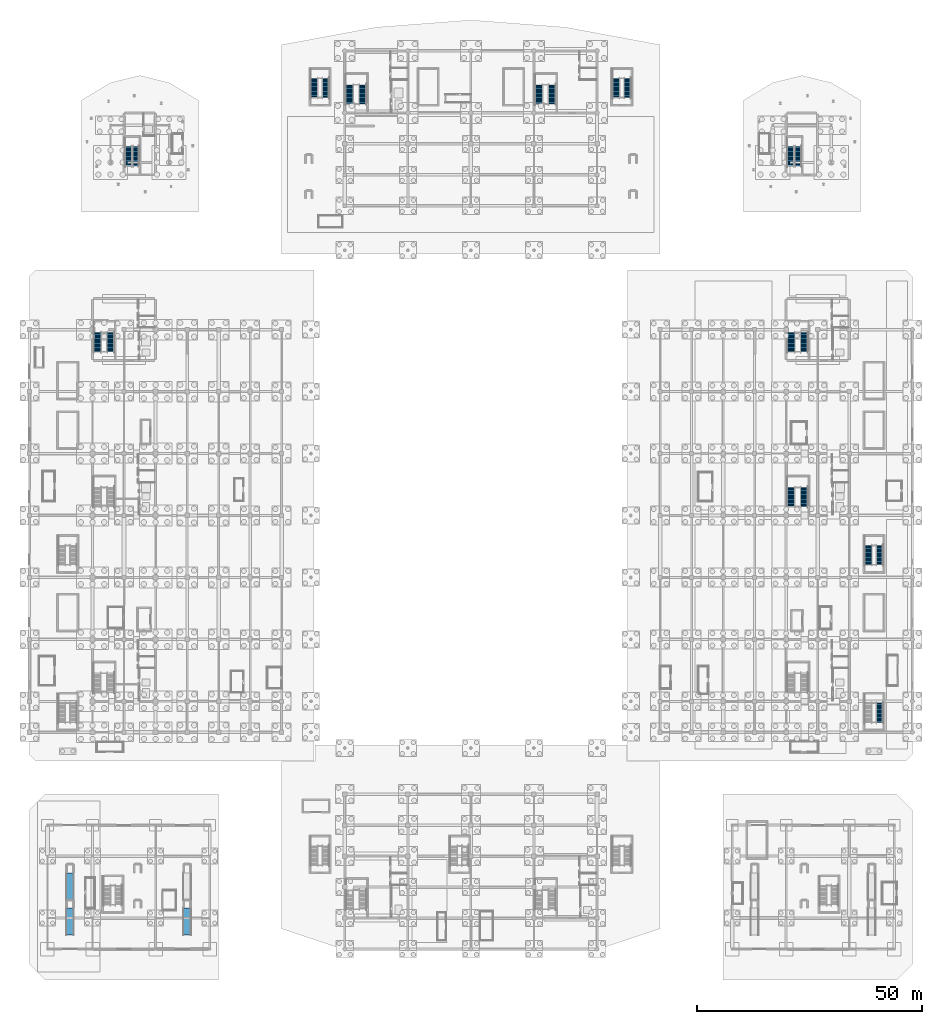
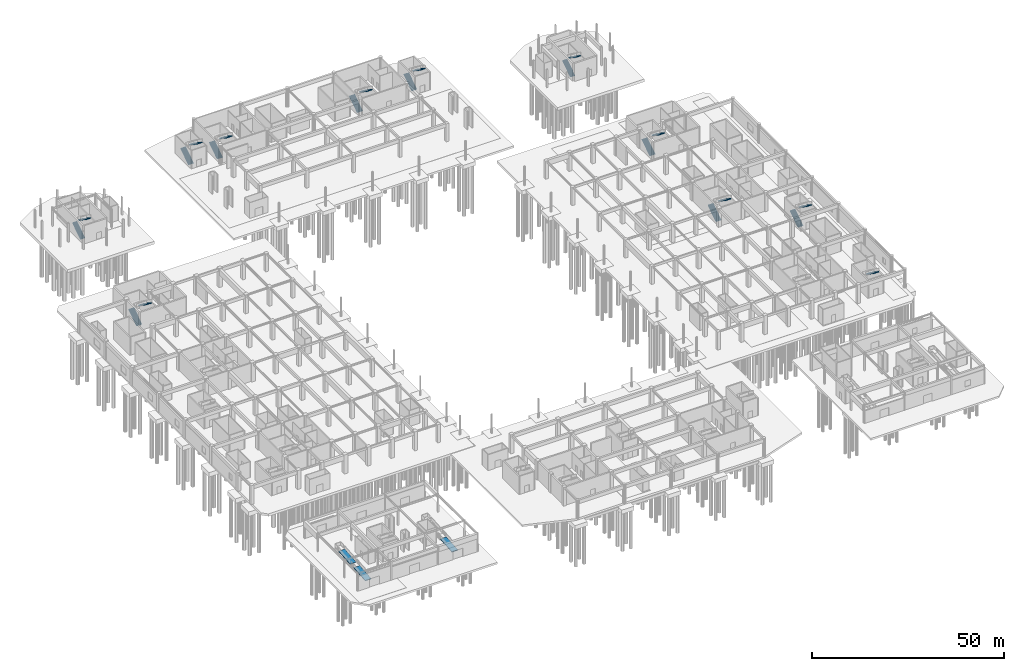
# One storey, part 53 of 62: 21 stair flights, 3 ramp flights, 13 elements without a shape of their own.
"""IFC4 building model written with IfcOpenShell, lengths in metres."""

import ifcopenshell
import ifcopenshell.guid

model = None  # the IFC model being written
_history = None  # IfcOwnerHistory: only IFC2X3 demands one
_inside = {}  # id of a spatial element -> (the spatial element, [elements in it])
_under = {}  # id of a project, library or spatial element -> (it, [spatial elements below it])
_declared = {}  # id of a project -> (the project, [libraries it declares])
_typed = {}  # id of a type object -> (the type object, [elements of that type])
_made_of = {}  # id of a material, layer set ... -> (it, [elements and type objects made of it])


def new_model(schema):
    """Start an empty IFC model of exactly this schema.

    Asked for "IFC4X3", IfcOpenShell would pick the latest addendum, in which some entities
    have other attributes; the version numbers below select the first issue.
    IFC2X3 requires an IfcOwnerHistory on every rooted entity: one is made here for all.
    """
    global model, _history
    if schema == "IFC4X3":
        model = ifcopenshell.file(schema_version=(4, 3, 0, 0))
    else:
        model = ifcopenshell.file(schema=schema)
    _inside.clear()
    _under.clear()
    _declared.clear()
    _typed.clear()
    _made_of.clear()
    _history = None
    if model.schema == "IFC2X3":
        org = make("IfcOrganization", Name="unknown")
        user = make(
            "IfcPersonAndOrganization",
            ThePerson=make("IfcPerson", FamilyName="unknown"),
            TheOrganization=org,
        )
        app = make(
            "IfcApplication",
            ApplicationDeveloper=org,
            Version="unknown",
            ApplicationFullName="unknown",
            ApplicationIdentifier="unknown",
        )
        _history = make(
            "IfcOwnerHistory",
            OwningUser=user,
            OwningApplication=app,
            ChangeAction="ADDED",
            CreationDate=0,
        )
    return model


def make(cls, **values):
    """One entity of the class cls with the attributes given. An attribute that is None is left unset."""
    return model.create_entity(
        cls, **{name: value for name, value in values.items() if value is not None}
    )


def rooted(cls, **values):
    """An entity with a GlobalId (a new one), such as an element, a storey or a relation."""
    return make(cls, GlobalId=ifcopenshell.guid.new(), OwnerHistory=_history, **values)


def si_unit(unit_type, name, prefix=None):
    """IfcSIUnit, for example si_unit("LENGTHUNIT", "METRE", prefix="MILLI")."""
    return make("IfcSIUnit", UnitType=unit_type, Prefix=prefix, Name=name)


def assignment(units):
    """IfcUnitAssignment: the units of a project."""
    return None if units is None else make("IfcUnitAssignment", Units=units)


def point(xyz):
    """IfcCartesianPoint."""
    return None if xyz is None else make("IfcCartesianPoint", Coordinates=xyz)


def direction(xyz):
    """IfcDirection."""
    return None if xyz is None else make("IfcDirection", DirectionRatios=xyz)


def frame(location, z_axis=None, x_axis=None):
    """IfcAxis2Placement3D, a coordinate frame: its origin and axes. An axis left out is left unset."""
    return make(
        "IfcAxis2Placement3D",
        Location=point(location),
        Axis=direction(z_axis),
        RefDirection=direction(x_axis),
    )


def origin():
    """The frame at (0, 0, 0) with its axes left unset."""
    return frame((0.0, 0.0, 0.0))


def place(relative_to, where):
    """IfcLocalPlacement: puts the frame where relative to a parent placement (None: the world)."""
    return make(
        "IfcLocalPlacement", PlacementRelTo=relative_to, RelativePlacement=where
    )


def context(
    kind, dimensions, precision=None, world=None, true_north=None, identifier=None
):
    """IfcGeometricRepresentationContext, for example the 3D "Model" context."""
    return make(
        "IfcGeometricRepresentationContext",
        ContextIdentifier=identifier,
        ContextType=kind,
        CoordinateSpaceDimension=dimensions,
        Precision=precision,
        WorldCoordinateSystem=world,
        TrueNorth=true_north,
    )


def subcontext(parent, identifier, kind, view, scale=None):
    """IfcGeometricRepresentationSubContext, for example "Body" below "Model"."""
    return make(
        "IfcGeometricRepresentationSubContext",
        ContextIdentifier=identifier,
        ContextType=kind,
        ParentContext=parent,
        TargetScale=scale,
        TargetView=view,
    )


def project(units=None, contexts=None):
    """IfcProject with its units and contexts."""
    return rooted(
        "IfcProject",
        Name="project",
        RepresentationContexts=contexts,
        UnitsInContext=assignment(units),
    )


def spatial(cls, under=None, at=None, **own):
    """A site, building, storey or space (cls), placed at a placement, below another one or the project."""
    s = rooted(cls, ObjectPlacement=at, **own)
    if under is not None:
        _under.setdefault(under.id(), (under, []))[1].append(s)
    return s


def polyline(points):
    """IfcPolyline through the points."""
    return make("IfcPolyline", Points=[point(p) for p in points])


def outline(outer, holes=None, kind="AREA"):
    """IfcArbitraryClosedProfileDef: a profile drawn as a closed curve; with holes, ...WithVoids."""
    if holes is None:
        return make("IfcArbitraryClosedProfileDef", ProfileType=kind, OuterCurve=outer)
    return make(
        "IfcArbitraryProfileDefWithVoids",
        ProfileType=kind,
        OuterCurve=outer,
        InnerCurves=holes,
    )


def extrude(swept, where, along, depth):
    """IfcExtrudedAreaSolid: the profile swept, set in the frame where, extruded along a direction by depth."""
    return make(
        "IfcExtrudedAreaSolid",
        SweptArea=swept,
        Position=where,
        ExtrudedDirection=direction(along),
        Depth=depth,
    )


def shape(context_of_items, identifier, shape_type, items):
    """IfcShapeRepresentation: the items that make up one representation, for example the "Body"."""
    return make(
        "IfcShapeRepresentation",
        ContextOfItems=context_of_items,
        RepresentationIdentifier=identifier,
        RepresentationType=shape_type,
        Items=items,
    )


def material(Name=None, Category=None):
    """IfcMaterial."""
    return make("IfcMaterial", Name=Name, Category=Category)


def layer(
    of_material, thickness, ventilated=None, Name=None, Category=None, Priority=None
):
    """IfcMaterialLayer: one layer of a wall or slab, of a material (None: an air gap)."""
    return make(
        "IfcMaterialLayer",
        Material=of_material,
        LayerThickness=thickness,
        IsVentilated=ventilated,
        Name=Name,
        Category=Category,
        Priority=Priority,
    )


def layer_set(layers, Name=None):
    """IfcMaterialLayerSet."""
    return make("IfcMaterialLayerSet", MaterialLayers=layers, LayerSetName=Name)


def made_of(thing, what):
    """Note that an element or type object is made of a material, layer set ...; save() writes the relation."""
    if what is not None:
        _made_of.setdefault(what.id(), (what, []))[1].append(thing)
    return thing


def type_object(cls, material=None, **own):
    """A type object (cls), such as IfcWallType, which elements share."""
    return made_of(rooted(cls, **own), material)


def element(
    cls,
    number,
    at=None,
    inside=None,
    cuts=None,
    type_object=None,
    material=None,
    context=None,
    identifier="Body",
    shape_type=None,
    held_by="IfcProductDefinitionShape",
    body=None,
    shapes=None,
    **own,
):
    """One element of the class cls, such as IfcWall. Its Tag is "e" and its number.

    at: its placement. inside: the storey or other place that contains it. cuts: it is an
    opening in that element (IfcRelVoidsElement). A single representation is given by context,
    identifier, shape_type and body (its items); several are given by shapes. held_by: the class
    of the entity that holds the representations. save() writes the other relations.
    """
    e = rooted(cls, Tag="e%d" % number, ObjectPlacement=at, **own)
    if body is not None:
        shapes = [shape(context, identifier, shape_type, body)]
    if shapes is not None:
        e.Representation = make(held_by, Representations=shapes)
    if inside is not None:
        _inside.setdefault(inside.id(), (inside, []))[1].append(e)
    if cuts is not None:
        rooted(
            "IfcRelVoidsElement", RelatingBuildingElement=cuts, RelatedOpeningElement=e
        )
    if type_object is not None:
        _typed.setdefault(type_object.id(), (type_object, []))[1].append(e)
    return made_of(e, material)


def aggregate(whole, parts):
    """IfcRelAggregates: a whole, such as a stair, and the parts it consists of."""
    return rooted("IfcRelAggregates", RelatingObject=whole, RelatedObjects=parts)


def save(model, path):
    """Write the relations noted so far, then the file.

    IfcRelAggregates (storeys below a building ...), IfcRelContainedInSpatialStructure (elements
    in a storey), IfcRelDefinesByType, IfcRelAssociatesMaterial and IfcRelDeclares: one each for
    every whole, place, type object, material and project.
    """
    for whole, parts in _under.values():
        aggregate(whole, parts)
    for where, things in _inside.values():
        rooted(
            "IfcRelContainedInSpatialStructure",
            RelatedElements=things,
            RelatingStructure=where,
        )
    for kind, things in _typed.values():
        rooted("IfcRelDefinesByType", RelatedObjects=things, RelatingType=kind)
    for what, things in _made_of.values():
        rooted("IfcRelAssociatesMaterial", RelatedObjects=things, RelatingMaterial=what)
    for by, libraries in _declared.values():
        rooted("IfcRelDeclares", RelatingContext=by, RelatedDefinitions=libraries)
    model.write(path)


model = new_model("IFC4")

# Units and contexts
model_context = context("Model", 3, precision=1e-05, world=origin(), true_north=direction((0.0, 1.0)))
body_context = subcontext(model_context, "Body", "Model", "MODEL_VIEW")
ifc_project = project(units=[si_unit("LENGTHUNIT", "METRE"), si_unit("AREAUNIT", "SQUARE_METRE"), si_unit("VOLUMEUNIT", "CUBIC_METRE"), si_unit("PLANEANGLEUNIT", "RADIAN"), si_unit("MASSUNIT", "GRAM", prefix="KILO")], contexts=[model_context])

# Site, building, storey
site_placement = place(None, origin())
site = spatial("IfcSite", under=ifc_project, at=site_placement, CompositionType="ELEMENT")
building_placement = place(site_placement, origin())
building = spatial("IfcBuilding", under=site, at=building_placement, Name="Linyun Crest Stadium", CompositionType="ELEMENT")
storey_placement = place(building_placement, frame((0.0, 0.0, -6.0)))
storey = spatial("IfcBuildingStorey", under=building, at=storey_placement, Name="B1", CompositionType="ELEMENT", Elevation=-6.0)

# Stair, stair flights
ifc_material_1 = material(Name="Concrete C40", Category="concrete")
stair_type = type_object("IfcStairType", Name="STA01", PredefinedType="HALF_TURN_STAIR", material=ifc_material_1)
stair_1_placement = place(storey_placement, origin())
stair_1 = element("IfcStair", 1, at=stair_1_placement, inside=storey, type_object=stair_type, Name="Evacuation stair STR-03-B1", PredefinedType="HALF_TURN_STAIR")
ifc_material_2 = material(Name="Concrete C40", Category="concrete")
stair_flight_type_1 = type_object("IfcStairFlightType", Name="STF01", PredefinedType="STRAIGHT", material=ifc_material_2)
stair_flight_1_placement = place(storey_placement, frame((-82.909912109375, 38.489990234375, 0.0), z_axis=(0.0, 0.0, 1.0), x_axis=(0.0, 1.0, 0.0)))
stair_flight_1 = element("IfcStairFlight", 2, at=stair_flight_1_placement, type_object=stair_flight_type_1, Name="STR-03-B1 flight 1", NumberOfRisers=18, NumberOfTreads=17, PredefinedType="STRAIGHT", RiserHeight=0.166666667, TreadLength=0.25, context=body_context, shape_type="SweptSolid", body=[
    extrude(outline(polyline([(0.0, 0.0), (0.0, 0.166748046875), (0.25, 0.166748046875), (0.25, 0.333251953125), (0.5, 0.333251953125), (0.5, 0.5), (0.75, 0.5), (0.75, 0.666748046875), (1.0, 0.666748046875), (1.0, 0.833251953125), (1.25, 0.833251953125), (1.25, 1.0), (1.5, 1.0), (1.5, 1.166748046875), (1.75, 1.166748046875), (1.75, 1.333251953125), (2.0, 1.333251953125), (2.0, 1.5), (2.25, 1.5), (2.25, 1.666748046875), (2.5, 1.666748046875), (2.5, 1.833251953125), (2.75, 1.833251953125), (2.75, 2.0), (3.0, 2.0), (3.0, 2.166748046875), (3.25, 2.166748046875), (3.25, 2.333251953125), (3.5, 2.333251953125), (3.5, 2.5), (3.75, 2.5), (3.75, 2.666748046875), (4.0, 2.666748046875), (4.0, 2.833251953125), (4.25, 2.833251953125), (4.25, 3.0), (4.25, 2.6171875), (0.324462890625, 0.0), (0.0, 0.0)])), frame((0.0, 0.824951171875, 0.0), z_axis=(0.0, -1.0, 0.0), x_axis=(1.0, 0.0, 0.0)), (0.0, 0.0, 1.0), 1.64990234375),
])
stair_flight_2_placement = place(storey_placement, frame((-79.965087890625, 42.739990234375, 3.0), z_axis=(0.0, 0.0, 1.0), x_axis=(0.0, -1.0, 0.0)))
stair_flight_2 = element("IfcStairFlight", 3, at=stair_flight_2_placement, type_object=stair_flight_type_1, Name="STR-03-B1 flight 2", NumberOfRisers=18, NumberOfTreads=17, PredefinedType="STRAIGHT", RiserHeight=0.166666667, TreadLength=0.25, context=body_context, shape_type="SweptSolid", body=[
    extrude(outline(polyline([(0.0, 0.0), (0.0, 0.166748046875), (0.25, 0.166748046875), (0.25, 0.333251953125), (0.5, 0.333251953125), (0.5, 0.5), (0.75, 0.5), (0.75, 0.666748046875), (1.0, 0.666748046875), (1.0, 0.833251953125), (1.25, 0.833251953125), (1.25, 1.0), (1.5, 1.0), (1.5, 1.166748046875), (1.75, 1.166748046875), (1.75, 1.333251953125), (2.0, 1.333251953125), (2.0, 1.5), (2.25, 1.5), (2.25, 1.666748046875), (2.5, 1.666748046875), (2.5, 1.833251953125), (2.75, 1.833251953125), (2.75, 2.0), (3.0, 2.0), (3.0, 2.166748046875), (3.25, 2.166748046875), (3.25, 2.333251953125), (3.5, 2.333251953125), (3.5, 2.5), (3.75, 2.5), (3.75, 2.666748046875), (4.0, 2.666748046875), (4.0, 2.833251953125), (4.25, 2.833251953125), (4.25, 3.0), (4.25, 2.6171875), (0.324462890625, 0.0), (0.0, 0.0)])), frame((0.0, 0.824951171875, 0.0), z_axis=(0.0, -1.0, 0.0), x_axis=(1.0, 0.0, 0.0)), (0.0, 0.0, 1.0), 1.64990234375),
])
aggregate(stair_1, [stair_flight_1, stair_flight_2])

stair_2_placement = place(storey_placement, origin())
stair_2 = element("IfcStair", 4, at=stair_2_placement, inside=storey, type_object=stair_type, Name="Evacuation stair STR-05-B1", PredefinedType="HALF_TURN_STAIR")
stair_flight_3_placement = place(storey_placement, frame((71.06494140625, 4.114990234375, 0.0), z_axis=(0.0, 0.0, 1.0), x_axis=(0.0, 1.0, 0.0)))
stair_flight_3 = element("IfcStairFlight", 5, at=stair_flight_3_placement, type_object=stair_flight_type_1, Name="STR-05-B1 flight 1", NumberOfRisers=18, NumberOfTreads=17, PredefinedType="STRAIGHT", RiserHeight=0.166666667, TreadLength=0.25, context=body_context, shape_type="SweptSolid", body=[
    extrude(outline(polyline([(0.0, 0.0), (0.0, 0.166748046875), (0.25, 0.166748046875), (0.25, 0.333251953125), (0.5, 0.333251953125), (0.5, 0.5), (0.75, 0.5), (0.75, 0.666748046875), (1.0, 0.666748046875), (1.0, 0.833251953125), (1.25, 0.833251953125), (1.25, 1.0), (1.5, 1.0), (1.5, 1.166748046875), (1.75, 1.166748046875), (1.75, 1.333251953125), (2.0, 1.333251953125), (2.0, 1.5), (2.25, 1.5), (2.25, 1.666748046875), (2.5, 1.666748046875), (2.5, 1.833251953125), (2.75, 1.833251953125), (2.75, 2.0), (3.0, 2.0), (3.0, 2.166748046875), (3.25, 2.166748046875), (3.25, 2.333251953125), (3.5, 2.333251953125), (3.5, 2.5), (3.75, 2.5), (3.75, 2.666748046875), (4.0, 2.666748046875), (4.0, 2.833251953125), (4.25, 2.833251953125), (4.25, 3.0), (4.25, 2.6171875), (0.324462890625, 0.0), (0.0, 0.0)])), frame((0.0, 0.824951171875, 0.0), z_axis=(0.0, -1.0, 0.0), x_axis=(1.0, 0.0, 0.0)), (0.0, 0.0, 1.0), 1.64990234375),
])
stair_flight_4_placement = place(storey_placement, frame((74.034912109375, 8.364990234375, 3.0), z_axis=(0.0, 0.0, 1.0), x_axis=(0.0, -1.0, 0.0)))
stair_flight_4 = element("IfcStairFlight", 6, at=stair_flight_4_placement, type_object=stair_flight_type_1, Name="STR-05-B1 flight 2", NumberOfRisers=18, NumberOfTreads=17, PredefinedType="STRAIGHT", RiserHeight=0.166666667, TreadLength=0.25, context=body_context, shape_type="SweptSolid", body=[
    extrude(outline(polyline([(0.0, 0.0), (0.0, 0.166748046875), (0.25, 0.166748046875), (0.25, 0.333251953125), (0.5, 0.333251953125), (0.5, 0.5), (0.75, 0.5), (0.75, 0.666748046875), (1.0, 0.666748046875), (1.0, 0.833251953125), (1.25, 0.833251953125), (1.25, 1.0), (1.5, 1.0), (1.5, 1.166748046875), (1.75, 1.166748046875), (1.75, 1.333251953125), (2.0, 1.333251953125), (2.0, 1.5), (2.25, 1.5), (2.25, 1.666748046875), (2.5, 1.666748046875), (2.5, 1.833251953125), (2.75, 1.833251953125), (2.75, 2.0), (3.0, 2.0), (3.0, 2.166748046875), (3.25, 2.166748046875), (3.25, 2.333251953125), (3.5, 2.333251953125), (3.5, 2.5), (3.75, 2.5), (3.75, 2.666748046875), (4.0, 2.666748046875), (4.0, 2.833251953125), (4.25, 2.833251953125), (4.25, 3.0), (4.25, 2.6171875), (0.324462890625, 0.0), (0.0, 0.0)])), frame((0.0, 0.824951171875, 0.0), z_axis=(0.0, -1.0, 0.0), x_axis=(1.0, 0.0, 0.0)), (0.0, 0.0, 1.0), 1.64990234375),
])
aggregate(stair_2, [stair_flight_3, stair_flight_4])

stair_3_placement = place(storey_placement, origin())
stair_3 = element("IfcStair", 7, at=stair_3_placement, inside=storey, type_object=stair_type, Name="Evacuation stair STR-06-B1", PredefinedType="HALF_TURN_STAIR")
stair_flight_5_placement = place(storey_placement, frame((71.090087890625, 38.489990234375, 0.0), z_axis=(0.0, 0.0, 1.0), x_axis=(0.0, 1.0, 0.0)))
stair_flight_5 = element("IfcStairFlight", 8, at=stair_flight_5_placement, type_object=stair_flight_type_1, Name="STR-06-B1 flight 1", NumberOfRisers=18, NumberOfTreads=17, PredefinedType="STRAIGHT", RiserHeight=0.166666667, TreadLength=0.25, context=body_context, shape_type="SweptSolid", body=[
    extrude(outline(polyline([(0.0, 0.0), (0.0, 0.166748046875), (0.25, 0.166748046875), (0.25, 0.333251953125), (0.5, 0.333251953125), (0.5, 0.5), (0.75, 0.5), (0.75, 0.666748046875), (1.0, 0.666748046875), (1.0, 0.833251953125), (1.25, 0.833251953125), (1.25, 1.0), (1.5, 1.0), (1.5, 1.166748046875), (1.75, 1.166748046875), (1.75, 1.333251953125), (2.0, 1.333251953125), (2.0, 1.5), (2.25, 1.5), (2.25, 1.666748046875), (2.5, 1.666748046875), (2.5, 1.833251953125), (2.75, 1.833251953125), (2.75, 2.0), (3.0, 2.0), (3.0, 2.166748046875), (3.25, 2.166748046875), (3.25, 2.333251953125), (3.5, 2.333251953125), (3.5, 2.5), (3.75, 2.5), (3.75, 2.666748046875), (4.0, 2.666748046875), (4.0, 2.833251953125), (4.25, 2.833251953125), (4.25, 3.0), (4.25, 2.6171875), (0.324462890625, 0.0), (0.0, 0.0)])), frame((0.0, 0.824951171875, 0.0), z_axis=(0.0, -1.0, 0.0), x_axis=(1.0, 0.0, 0.0)), (0.0, 0.0, 1.0), 1.64990234375),
])
stair_flight_6_placement = place(storey_placement, frame((74.034912109375, 42.739990234375, 3.0), z_axis=(0.0, 0.0, 1.0), x_axis=(0.0, -1.0, 0.0)))
stair_flight_6 = element("IfcStairFlight", 9, at=stair_flight_6_placement, type_object=stair_flight_type_1, Name="STR-06-B1 flight 2", NumberOfRisers=18, NumberOfTreads=17, PredefinedType="STRAIGHT", RiserHeight=0.166666667, TreadLength=0.25, context=body_context, shape_type="SweptSolid", body=[
    extrude(outline(polyline([(0.0, 0.0), (0.0, 0.166748046875), (0.25, 0.166748046875), (0.25, 0.333251953125), (0.5, 0.333251953125), (0.5, 0.5), (0.75, 0.5), (0.75, 0.666748046875), (1.0, 0.666748046875), (1.0, 0.833251953125), (1.25, 0.833251953125), (1.25, 1.0), (1.5, 1.0), (1.5, 1.166748046875), (1.75, 1.166748046875), (1.75, 1.333251953125), (2.0, 1.333251953125), (2.0, 1.5), (2.25, 1.5), (2.25, 1.666748046875), (2.5, 1.666748046875), (2.5, 1.833251953125), (2.75, 1.833251953125), (2.75, 2.0), (3.0, 2.0), (3.0, 2.166748046875), (3.25, 2.166748046875), (3.25, 2.333251953125), (3.5, 2.333251953125), (3.5, 2.5), (3.75, 2.5), (3.75, 2.666748046875), (4.0, 2.666748046875), (4.0, 2.833251953125), (4.25, 2.833251953125), (4.25, 3.0), (4.25, 2.6171875), (0.324462890625, 0.0), (0.0, 0.0)])), frame((0.0, 0.824951171875, 0.0), z_axis=(0.0, -1.0, 0.0), x_axis=(1.0, 0.0, 0.0)), (0.0, 0.0, 1.0), 1.64990234375),
])
aggregate(stair_3, [stair_flight_5, stair_flight_6])

stair_4_placement = place(storey_placement, origin())
stair_4 = element("IfcStair", 10, at=stair_4_placement, inside=storey, type_object=stair_type, Name="Evacuation stair STR-07-B1", PredefinedType="HALF_TURN_STAIR")
stair_flight_7_placement = place(storey_placement, frame((-26.9599609375, 93.489990234375, 0.0), z_axis=(0.0, 0.0, 1.0), x_axis=(0.0, 1.0, 0.0)))
stair_flight_7 = element("IfcStairFlight", 11, at=stair_flight_7_placement, type_object=stair_flight_type_1, Name="STR-07-B1 flight 1", NumberOfRisers=18, NumberOfTreads=17, PredefinedType="STRAIGHT", RiserHeight=0.166666667, TreadLength=0.25, context=body_context, shape_type="SweptSolid", body=[
    extrude(outline(polyline([(0.0, 0.0), (0.0, 0.166748046875), (0.25, 0.166748046875), (0.25, 0.333251953125), (0.5, 0.333251953125), (0.5, 0.5), (0.75, 0.5), (0.75, 0.666748046875), (1.0, 0.666748046875), (1.0, 0.833251953125), (1.25, 0.833251953125), (1.25, 1.0), (1.5, 1.0), (1.5, 1.166748046875), (1.75, 1.166748046875), (1.75, 1.333251953125), (2.0, 1.333251953125), (2.0, 1.5), (2.25, 1.5), (2.25, 1.666748046875), (2.5, 1.666748046875), (2.5, 1.833251953125), (2.75, 1.833251953125), (2.75, 2.0), (3.0, 2.0), (3.0, 2.166748046875), (3.25, 2.166748046875), (3.25, 2.333251953125), (3.5, 2.333251953125), (3.5, 2.5), (3.75, 2.5), (3.75, 2.666748046875), (4.0, 2.666748046875), (4.0, 2.833251953125), (4.25, 2.833251953125), (4.25, 3.0), (4.25, 2.6171875), (0.324462890625, 0.0), (0.0, 0.0)])), frame((0.0, 0.824951171875, 0.0), z_axis=(0.0, -1.0, 0.0), x_axis=(1.0, 0.0, 0.0)), (0.0, 0.0, 1.0), 1.64990234375),
])
stair_flight_8_placement = place(storey_placement, frame((-23.965087890625, 97.739990234375, 3.0), z_axis=(0.0, 0.0, 1.0), x_axis=(0.0, -1.0, 0.0)))
stair_flight_8 = element("IfcStairFlight", 12, at=stair_flight_8_placement, type_object=stair_flight_type_1, Name="STR-07-B1 flight 2", NumberOfRisers=18, NumberOfTreads=17, PredefinedType="STRAIGHT", RiserHeight=0.166666667, TreadLength=0.25, context=body_context, shape_type="SweptSolid", body=[
    extrude(outline(polyline([(0.0, 0.0), (0.0, 0.166748046875), (0.25, 0.166748046875), (0.25, 0.333251953125), (0.5, 0.333251953125), (0.5, 0.5), (0.75, 0.5), (0.75, 0.666748046875), (1.0, 0.666748046875), (1.0, 0.833251953125), (1.25, 0.833251953125), (1.25, 1.0), (1.5, 1.0), (1.5, 1.166748046875), (1.75, 1.166748046875), (1.75, 1.333251953125), (2.0, 1.333251953125), (2.0, 1.5), (2.25, 1.5), (2.25, 1.666748046875), (2.5, 1.666748046875), (2.5, 1.833251953125), (2.75, 1.833251953125), (2.75, 2.0), (3.0, 2.0), (3.0, 2.166748046875), (3.25, 2.166748046875), (3.25, 2.333251953125), (3.5, 2.333251953125), (3.5, 2.5), (3.75, 2.5), (3.75, 2.666748046875), (4.0, 2.666748046875), (4.0, 2.833251953125), (4.25, 2.833251953125), (4.25, 3.0), (4.25, 2.6171875), (0.324462890625, 0.0), (0.0, 0.0)])), frame((0.0, 0.824951171875, 0.0), z_axis=(0.0, -1.0, 0.0), x_axis=(1.0, 0.0, 0.0)), (0.0, 0.0, 1.0), 1.64990234375),
])
aggregate(stair_4, [stair_flight_7, stair_flight_8])

stair_5_placement = place(storey_placement, origin())
stair_5 = element("IfcStair", 13, at=stair_5_placement, inside=storey, type_object=stair_type, Name="Evacuation stair STR-08-B1", PredefinedType="HALF_TURN_STAIR")
stair_flight_9_placement = place(storey_placement, frame((15.06494140625, 93.489990234375, 0.0), z_axis=(0.0, 0.0, 1.0), x_axis=(0.0, 1.0, 0.0)))
stair_flight_9 = element("IfcStairFlight", 14, at=stair_flight_9_placement, type_object=stair_flight_type_1, Name="STR-08-B1 flight 1", NumberOfRisers=18, NumberOfTreads=17, PredefinedType="STRAIGHT", RiserHeight=0.166666667, TreadLength=0.25, context=body_context, shape_type="SweptSolid", body=[
    extrude(outline(polyline([(0.0, 0.0), (0.0, 0.166748046875), (0.25, 0.166748046875), (0.25, 0.333251953125), (0.5, 0.333251953125), (0.5, 0.5), (0.75, 0.5), (0.75, 0.666748046875), (1.0, 0.666748046875), (1.0, 0.833251953125), (1.25, 0.833251953125), (1.25, 1.0), (1.5, 1.0), (1.5, 1.166748046875), (1.75, 1.166748046875), (1.75, 1.333251953125), (2.0, 1.333251953125), (2.0, 1.5), (2.25, 1.5), (2.25, 1.666748046875), (2.5, 1.666748046875), (2.5, 1.833251953125), (2.75, 1.833251953125), (2.75, 2.0), (3.0, 2.0), (3.0, 2.166748046875), (3.25, 2.166748046875), (3.25, 2.333251953125), (3.5, 2.333251953125), (3.5, 2.5), (3.75, 2.5), (3.75, 2.666748046875), (4.0, 2.666748046875), (4.0, 2.833251953125), (4.25, 2.833251953125), (4.25, 3.0), (4.25, 2.6171875), (0.324462890625, 0.0), (0.0, 0.0)])), frame((0.0, 0.824951171875, 0.0), z_axis=(0.0, -1.0, 0.0), x_axis=(1.0, 0.0, 0.0)), (0.0, 0.0, 1.0), 1.64990234375),
])
stair_flight_10_placement = place(storey_placement, frame((18.034912109375, 97.739990234375, 3.0), z_axis=(0.0, 0.0, 1.0), x_axis=(0.0, -1.0, 0.0)))
stair_flight_10 = element("IfcStairFlight", 15, at=stair_flight_10_placement, type_object=stair_flight_type_1, Name="STR-08-B1 flight 2", NumberOfRisers=18, NumberOfTreads=17, PredefinedType="STRAIGHT", RiserHeight=0.166666667, TreadLength=0.25, context=body_context, shape_type="SweptSolid", body=[
    extrude(outline(polyline([(0.0, 0.0), (0.0, 0.166748046875), (0.25, 0.166748046875), (0.25, 0.333251953125), (0.5, 0.333251953125), (0.5, 0.5), (0.75, 0.5), (0.75, 0.666748046875), (1.0, 0.666748046875), (1.0, 0.833251953125), (1.25, 0.833251953125), (1.25, 1.0), (1.5, 1.0), (1.5, 1.166748046875), (1.75, 1.166748046875), (1.75, 1.333251953125), (2.0, 1.333251953125), (2.0, 1.5), (2.25, 1.5), (2.25, 1.666748046875), (2.5, 1.666748046875), (2.5, 1.833251953125), (2.75, 1.833251953125), (2.75, 2.0), (3.0, 2.0), (3.0, 2.166748046875), (3.25, 2.166748046875), (3.25, 2.333251953125), (3.5, 2.333251953125), (3.5, 2.5), (3.75, 2.5), (3.75, 2.666748046875), (4.0, 2.666748046875), (4.0, 2.833251953125), (4.25, 2.833251953125), (4.25, 3.0), (4.25, 2.6171875), (0.324462890625, 0.0), (0.0, 0.0)])), frame((0.0, 0.824951171875, 0.0), z_axis=(0.0, -1.0, 0.0), x_axis=(1.0, 0.0, 0.0)), (0.0, 0.0, 1.0), 1.64990234375),
])
aggregate(stair_5, [stair_flight_9, stair_flight_10])

# Stair, stair flight
stair_6_placement = place(storey_placement, origin())
stair_6 = element("IfcStair", 16, at=stair_6_placement, inside=storey, type_object=stair_type, Name="Vomitory evacuation stair STR-18-B1", PredefinedType="HALF_TURN_STAIR")
ifc_material_3 = material(Name="Concrete C40", Category="concrete")
stair_flight_type_2 = type_object("IfcStairFlightType", Name="STF02", PredefinedType="STRAIGHT", material=ifc_material_3)
stair_flight_11_placement = place(storey_placement, frame((90.784912109375, -39.530029296875, 3.0), z_axis=(0.0, 0.0, 1.0), x_axis=(0.0, -1.0, 0.0)))
stair_flight_11 = element("IfcStairFlight", 17, at=stair_flight_11_placement, type_object=stair_flight_type_2, Name="STR-18-B1 flight 2", NumberOfRisers=18, NumberOfTreads=17, PredefinedType="STRAIGHT", RiserHeight=0.166666667, TreadLength=0.25, context=body_context, shape_type="SweptSolid", body=[
    extrude(outline(polyline([(0.0, 0.0), (0.0, 0.166748046875), (0.25, 0.166748046875), (0.25, 0.333251953125), (0.5, 0.333251953125), (0.5, 0.5), (0.75, 0.5), (0.75, 0.666748046875), (1.0, 0.666748046875), (1.0, 0.833251953125), (1.25, 0.833251953125), (1.25, 1.0), (1.5, 1.0), (1.5, 1.166748046875), (1.75, 1.166748046875), (1.75, 1.333251953125), (2.0, 1.333251953125), (2.0, 1.5), (2.25, 1.5), (2.25, 1.666748046875), (2.5, 1.666748046875), (2.5, 1.833251953125), (2.75, 1.833251953125), (2.75, 2.0), (3.0, 2.0), (3.0, 2.166748046875), (3.25, 2.166748046875), (3.25, 2.333251953125), (3.5, 2.333251953125), (3.5, 2.5), (3.75, 2.5), (3.75, 2.666748046875), (4.0, 2.666748046875), (4.0, 2.833251953125), (4.25, 2.833251953125), (4.25, 3.0), (4.25, 2.6171875), (0.324462890625, 0.0), (0.0, 0.0)])), frame((0.0, 0.77490234375, 0.0), z_axis=(0.0, -1.0, 0.0), x_axis=(1.0, 0.0, 0.0)), (0.0, 0.0, 1.0), 1.550048828125),
])
aggregate(stair_6, [stair_flight_11])

# Stair, stair flights
stair_7_placement = place(storey_placement, origin())
stair_7 = element("IfcStair", 18, at=stair_7_placement, inside=storey, type_object=stair_type, Name="Vomitory evacuation stair STR-20-B1", PredefinedType="HALF_TURN_STAIR")
stair_flight_12_placement = place(storey_placement, frame((88.215087890625, -8.780029296875, 0.0), z_axis=(0.0, 0.0, 1.0), x_axis=(0.0, 1.0, 0.0)))
stair_flight_12 = element("IfcStairFlight", 19, at=stair_flight_12_placement, type_object=stair_flight_type_2, Name="STR-20-B1 flight 1", NumberOfRisers=18, NumberOfTreads=17, PredefinedType="STRAIGHT", RiserHeight=0.166666667, TreadLength=0.25, context=body_context, shape_type="SweptSolid", body=[
    extrude(outline(polyline([(0.0, 0.0), (0.0, 0.166748046875), (0.25, 0.166748046875), (0.25, 0.333251953125), (0.5, 0.333251953125), (0.5, 0.5), (0.75, 0.5), (0.75, 0.666748046875), (1.0, 0.666748046875), (1.0, 0.833251953125), (1.25, 0.833251953125), (1.25, 1.0), (1.5, 1.0), (1.5, 1.166748046875), (1.75, 1.166748046875), (1.75, 1.333251953125), (2.0, 1.333251953125), (2.0, 1.5), (2.25, 1.5), (2.25, 1.666748046875), (2.5, 1.666748046875), (2.5, 1.833251953125), (2.75, 1.833251953125), (2.75, 2.0), (3.0, 2.0), (3.0, 2.166748046875), (3.25, 2.166748046875), (3.25, 2.333251953125), (3.5, 2.333251953125), (3.5, 2.5), (3.75, 2.5), (3.75, 2.666748046875), (4.0, 2.666748046875), (4.0, 2.833251953125), (4.25, 2.833251953125), (4.25, 3.0), (4.25, 2.6171875), (0.324462890625, 0.0), (0.0, 0.0)])), frame((0.0, 0.77490234375, 0.0), z_axis=(0.0, -1.0, 0.0), x_axis=(1.0, 0.0, 0.0)), (0.0, 0.0, 1.0), 1.550048828125),
])
stair_flight_13_placement = place(storey_placement, frame((90.784912109375, -4.530029296875, 3.0), z_axis=(0.0, 0.0, 1.0), x_axis=(0.0, -1.0, 0.0)))
stair_flight_13 = element("IfcStairFlight", 20, at=stair_flight_13_placement, type_object=stair_flight_type_2, Name="STR-20-B1 flight 2", NumberOfRisers=18, NumberOfTreads=17, PredefinedType="STRAIGHT", RiserHeight=0.166666667, TreadLength=0.25, context=body_context, shape_type="SweptSolid", body=[
    extrude(outline(polyline([(0.0, 0.0), (0.0, 0.166748046875), (0.25, 0.166748046875), (0.25, 0.333251953125), (0.5, 0.333251953125), (0.5, 0.5), (0.75, 0.5), (0.75, 0.666748046875), (1.0, 0.666748046875), (1.0, 0.833251953125), (1.25, 0.833251953125), (1.25, 1.0), (1.5, 1.0), (1.5, 1.166748046875), (1.75, 1.166748046875), (1.75, 1.333251953125), (2.0, 1.333251953125), (2.0, 1.5), (2.25, 1.5), (2.25, 1.666748046875), (2.5, 1.666748046875), (2.5, 1.833251953125), (2.75, 1.833251953125), (2.75, 2.0), (3.0, 2.0), (3.0, 2.166748046875), (3.25, 2.166748046875), (3.25, 2.333251953125), (3.5, 2.333251953125), (3.5, 2.5), (3.75, 2.5), (3.75, 2.666748046875), (4.0, 2.666748046875), (4.0, 2.833251953125), (4.25, 2.833251953125), (4.25, 3.0), (4.25, 2.6171875), (0.324462890625, 0.0), (0.0, 0.0)])), frame((0.0, 0.77490234375, 0.0), z_axis=(0.0, -1.0, 0.0), x_axis=(1.0, 0.0, 0.0)), (0.0, 0.0, 1.0), 1.550048828125),
])
aggregate(stair_7, [stair_flight_12, stair_flight_13])

stair_8_placement = place(storey_placement, origin())
stair_8 = element("IfcStair", 21, at=stair_8_placement, inside=storey, type_object=stair_type, Name="Vomitory evacuation stair STR-23-B1", PredefinedType="HALF_TURN_STAIR")
stair_flight_14_placement = place(storey_placement, frame((-34.784912109375, 94.919921875, 0.0), z_axis=(0.0, 0.0, 1.0), x_axis=(0.0, 1.0, 0.0)))
stair_flight_14 = element("IfcStairFlight", 22, at=stair_flight_14_placement, type_object=stair_flight_type_2, Name="STR-23-B1 flight 1", NumberOfRisers=18, NumberOfTreads=17, PredefinedType="STRAIGHT", RiserHeight=0.166666667, TreadLength=0.25, context=body_context, shape_type="SweptSolid", body=[
    extrude(outline(polyline([(0.0, 0.0), (0.0, 0.166748046875), (0.25, 0.166748046875), (0.25, 0.333251953125), (0.5, 0.333251953125), (0.5, 0.5), (0.75, 0.5), (0.75, 0.666748046875), (1.0, 0.666748046875), (1.0, 0.833251953125), (1.25, 0.833251953125), (1.25, 1.0), (1.5, 1.0), (1.5, 1.166748046875), (1.75, 1.166748046875), (1.75, 1.333251953125), (2.0, 1.333251953125), (2.0, 1.5), (2.25, 1.5), (2.25, 1.666748046875), (2.5, 1.666748046875), (2.5, 1.833251953125), (2.75, 1.833251953125), (2.75, 2.0), (3.0, 2.0), (3.0, 2.166748046875), (3.25, 2.166748046875), (3.25, 2.333251953125), (3.5, 2.333251953125), (3.5, 2.5), (3.75, 2.5), (3.75, 2.666748046875), (4.0, 2.666748046875), (4.0, 2.833251953125), (4.25, 2.833251953125), (4.25, 3.0), (4.25, 2.6171875), (0.324462890625, 0.0), (0.0, 0.0)])), frame((0.0, 0.77490234375, 0.0), z_axis=(0.0, -1.0, 0.0), x_axis=(1.0, 0.0, 0.0)), (0.0, 0.0, 1.0), 1.550048828125),
])
stair_flight_15_placement = place(storey_placement, frame((-32.215087890625, 99.169921875, 3.0), z_axis=(0.0, 0.0, 1.0), x_axis=(0.0, -1.0, 0.0)))
stair_flight_15 = element("IfcStairFlight", 23, at=stair_flight_15_placement, type_object=stair_flight_type_2, Name="STR-23-B1 flight 2", NumberOfRisers=18, NumberOfTreads=17, PredefinedType="STRAIGHT", RiserHeight=0.166666667, TreadLength=0.25, context=body_context, shape_type="SweptSolid", body=[
    extrude(outline(polyline([(0.0, 0.0), (0.0, 0.166748046875), (0.25, 0.166748046875), (0.25, 0.333251953125), (0.5, 0.333251953125), (0.5, 0.5), (0.75, 0.5), (0.75, 0.666748046875), (1.0, 0.666748046875), (1.0, 0.833251953125), (1.25, 0.833251953125), (1.25, 1.0), (1.5, 1.0), (1.5, 1.166748046875), (1.75, 1.166748046875), (1.75, 1.333251953125), (2.0, 1.333251953125), (2.0, 1.5), (2.25, 1.5), (2.25, 1.666748046875), (2.5, 1.666748046875), (2.5, 1.833251953125), (2.75, 1.833251953125), (2.75, 2.0), (3.0, 2.0), (3.0, 2.166748046875), (3.25, 2.166748046875), (3.25, 2.333251953125), (3.5, 2.333251953125), (3.5, 2.5), (3.75, 2.5), (3.75, 2.666748046875), (4.0, 2.666748046875), (4.0, 2.833251953125), (4.25, 2.833251953125), (4.25, 3.0), (4.25, 2.6171875), (0.324462890625, 0.0), (0.0, 0.0)])), frame((0.0, 0.77490234375, 0.0), z_axis=(0.0, -1.0, 0.0), x_axis=(1.0, 0.0, 0.0)), (0.0, 0.0, 1.0), 1.550048828125),
])
aggregate(stair_8, [stair_flight_14, stair_flight_15])

stair_9_placement = place(storey_placement, origin())
stair_9 = element("IfcStair", 24, at=stair_9_placement, inside=storey, type_object=stair_type, Name="Vomitory evacuation stair STR-26-B1", PredefinedType="HALF_TURN_STAIR")
stair_flight_16_placement = place(storey_placement, frame((32.215087890625, 94.919921875, 0.0), z_axis=(0.0, 0.0, 1.0), x_axis=(0.0, 1.0, 0.0)))
stair_flight_16 = element("IfcStairFlight", 25, at=stair_flight_16_placement, type_object=stair_flight_type_2, Name="STR-26-B1 flight 1", NumberOfRisers=18, NumberOfTreads=17, PredefinedType="STRAIGHT", RiserHeight=0.166666667, TreadLength=0.25, context=body_context, shape_type="SweptSolid", body=[
    extrude(outline(polyline([(0.0, 0.0), (0.0, 0.166748046875), (0.25, 0.166748046875), (0.25, 0.333251953125), (0.5, 0.333251953125), (0.5, 0.5), (0.75, 0.5), (0.75, 0.666748046875), (1.0, 0.666748046875), (1.0, 0.833251953125), (1.25, 0.833251953125), (1.25, 1.0), (1.5, 1.0), (1.5, 1.166748046875), (1.75, 1.166748046875), (1.75, 1.333251953125), (2.0, 1.333251953125), (2.0, 1.5), (2.25, 1.5), (2.25, 1.666748046875), (2.5, 1.666748046875), (2.5, 1.833251953125), (2.75, 1.833251953125), (2.75, 2.0), (3.0, 2.0), (3.0, 2.166748046875), (3.25, 2.166748046875), (3.25, 2.333251953125), (3.5, 2.333251953125), (3.5, 2.5), (3.75, 2.5), (3.75, 2.666748046875), (4.0, 2.666748046875), (4.0, 2.833251953125), (4.25, 2.833251953125), (4.25, 3.0), (4.25, 2.6171875), (0.324462890625, 0.0), (0.0, 0.0)])), frame((0.0, 0.77490234375, 0.0), z_axis=(0.0, -1.0, 0.0), x_axis=(1.0, 0.0, 0.0)), (0.0, 0.0, 1.0), 1.550048828125),
])
stair_flight_17_placement = place(storey_placement, frame((34.784912109375, 99.169921875, 3.0), z_axis=(0.0, 0.0, 1.0), x_axis=(0.0, -1.0, 0.0)))
stair_flight_17 = element("IfcStairFlight", 26, at=stair_flight_17_placement, type_object=stair_flight_type_2, Name="STR-26-B1 flight 2", NumberOfRisers=18, NumberOfTreads=17, PredefinedType="STRAIGHT", RiserHeight=0.166666667, TreadLength=0.25, context=body_context, shape_type="SweptSolid", body=[
    extrude(outline(polyline([(0.0, 0.0), (0.0, 0.166748046875), (0.25, 0.166748046875), (0.25, 0.333251953125), (0.5, 0.333251953125), (0.5, 0.5), (0.75, 0.5), (0.75, 0.666748046875), (1.0, 0.666748046875), (1.0, 0.833251953125), (1.25, 0.833251953125), (1.25, 1.0), (1.5, 1.0), (1.5, 1.166748046875), (1.75, 1.166748046875), (1.75, 1.333251953125), (2.0, 1.333251953125), (2.0, 1.5), (2.25, 1.5), (2.25, 1.666748046875), (2.5, 1.666748046875), (2.5, 1.833251953125), (2.75, 1.833251953125), (2.75, 2.0), (3.0, 2.0), (3.0, 2.166748046875), (3.25, 2.166748046875), (3.25, 2.333251953125), (3.5, 2.333251953125), (3.5, 2.5), (3.75, 2.5), (3.75, 2.666748046875), (4.0, 2.666748046875), (4.0, 2.833251953125), (4.25, 2.833251953125), (4.25, 3.0), (4.25, 2.6171875), (0.324462890625, 0.0), (0.0, 0.0)])), frame((0.0, 0.77490234375, 0.0), z_axis=(0.0, -1.0, 0.0), x_axis=(1.0, 0.0, 0.0)), (0.0, 0.0, 1.0), 1.550048828125),
])
aggregate(stair_9, [stair_flight_16, stair_flight_17])

stair_10_placement = place(storey_placement, origin())
stair_10 = element("IfcStair", 27, at=stair_10_placement, inside=storey, type_object=stair_type, Name="Evacuation stair STR-11-B1", PredefinedType="HALF_TURN_STAIR")
ifc_material_4 = material(Name="Concrete C40", Category="concrete")
stair_flight_type_3 = type_object("IfcStairFlightType", Name="STF03", PredefinedType="STRAIGHT", material=ifc_material_4)
stair_flight_18_placement = place(storey_placement, frame((-76.06005859375, 79.739990234375, 0.0), z_axis=(0.0, 0.0, 1.0), x_axis=(0.0, 1.0, 0.0)))
stair_flight_18 = element("IfcStairFlight", 28, at=stair_flight_18_placement, type_object=stair_flight_type_3, Name="STR-11-B1 flight 1", NumberOfRisers=18, NumberOfTreads=17, PredefinedType="STRAIGHT", RiserHeight=0.166666667, TreadLength=0.25, context=body_context, shape_type="SweptSolid", body=[
    extrude(outline(polyline([(0.0, 0.0), (0.0, 0.166748046875), (0.25, 0.166748046875), (0.25, 0.333251953125), (0.5, 0.333251953125), (0.5, 0.5), (0.75, 0.5), (0.75, 0.666748046875), (1.0, 0.666748046875), (1.0, 0.833251953125), (1.25, 0.833251953125), (1.25, 1.0), (1.5, 1.0), (1.5, 1.166748046875), (1.75, 1.166748046875), (1.75, 1.333251953125), (2.0, 1.333251953125), (2.0, 1.5), (2.25, 1.5), (2.25, 1.666748046875), (2.5, 1.666748046875), (2.5, 1.833251953125), (2.75, 1.833251953125), (2.75, 2.0), (3.0, 2.0), (3.0, 2.166748046875), (3.25, 2.166748046875), (3.25, 2.333251953125), (3.5, 2.333251953125), (3.5, 2.5), (3.75, 2.5), (3.75, 2.666748046875), (4.0, 2.666748046875), (4.0, 2.833251953125), (4.25, 2.833251953125), (4.25, 3.0), (4.25, 2.629150390625), (0.306396484375, 0.0), (0.0, 0.0)])), frame((0.0, 0.699951171875, 0.0), z_axis=(0.0, -1.0, 0.0), x_axis=(1.0, 0.0, 0.0)), (0.0, 0.0, 1.0), 1.39990234375),
])
stair_flight_19_placement = place(storey_placement, frame((-74.340087890625, 83.989990234375, 3.0), z_axis=(0.0, 0.0, 1.0), x_axis=(0.0, -1.0, 0.0)))
stair_flight_19 = element("IfcStairFlight", 29, at=stair_flight_19_placement, type_object=stair_flight_type_3, Name="STR-11-B1 flight 2", NumberOfRisers=18, NumberOfTreads=17, PredefinedType="STRAIGHT", RiserHeight=0.166666667, TreadLength=0.25, context=body_context, shape_type="SweptSolid", body=[
    extrude(outline(polyline([(0.0, 0.0), (0.0, 0.166748046875), (0.25, 0.166748046875), (0.25, 0.333251953125), (0.5, 0.333251953125), (0.5, 0.5), (0.75, 0.5), (0.75, 0.666748046875), (1.0, 0.666748046875), (1.0, 0.833251953125), (1.25, 0.833251953125), (1.25, 1.0), (1.5, 1.0), (1.5, 1.166748046875), (1.75, 1.166748046875), (1.75, 1.333251953125), (2.0, 1.333251953125), (2.0, 1.5), (2.25, 1.5), (2.25, 1.666748046875), (2.5, 1.666748046875), (2.5, 1.833251953125), (2.75, 1.833251953125), (2.75, 2.0), (3.0, 2.0), (3.0, 2.166748046875), (3.25, 2.166748046875), (3.25, 2.333251953125), (3.5, 2.333251953125), (3.5, 2.5), (3.75, 2.5), (3.75, 2.666748046875), (4.0, 2.666748046875), (4.0, 2.833251953125), (4.25, 2.833251953125), (4.25, 3.0), (4.25, 2.629150390625), (0.306396484375, 0.0), (0.0, 0.0)])), frame((0.0, 0.699951171875, 0.0), z_axis=(0.0, -1.0, 0.0), x_axis=(1.0, 0.0, 0.0)), (0.0, 0.0, 1.0), 1.39990234375),
])
aggregate(stair_10, [stair_flight_18, stair_flight_19])

stair_11_placement = place(storey_placement, origin())
stair_11 = element("IfcStair", 30, at=stair_11_placement, inside=storey, type_object=stair_type, Name="Evacuation stair STR-12-B1", PredefinedType="HALF_TURN_STAIR")
stair_flight_20_placement = place(storey_placement, frame((70.965087890625, 79.739990234375, 0.0), z_axis=(0.0, 0.0, 1.0), x_axis=(0.0, 1.0, 0.0)))
stair_flight_20 = element("IfcStairFlight", 31, at=stair_flight_20_placement, type_object=stair_flight_type_3, Name="STR-12-B1 flight 1", NumberOfRisers=18, NumberOfTreads=17, PredefinedType="STRAIGHT", RiserHeight=0.166666667, TreadLength=0.25, context=body_context, shape_type="SweptSolid", body=[
    extrude(outline(polyline([(0.0, 0.0), (0.0, 0.166748046875), (0.25, 0.166748046875), (0.25, 0.333251953125), (0.5, 0.333251953125), (0.5, 0.5), (0.75, 0.5), (0.75, 0.666748046875), (1.0, 0.666748046875), (1.0, 0.833251953125), (1.25, 0.833251953125), (1.25, 1.0), (1.5, 1.0), (1.5, 1.166748046875), (1.75, 1.166748046875), (1.75, 1.333251953125), (2.0, 1.333251953125), (2.0, 1.5), (2.25, 1.5), (2.25, 1.666748046875), (2.5, 1.666748046875), (2.5, 1.833251953125), (2.75, 1.833251953125), (2.75, 2.0), (3.0, 2.0), (3.0, 2.166748046875), (3.25, 2.166748046875), (3.25, 2.333251953125), (3.5, 2.333251953125), (3.5, 2.5), (3.75, 2.5), (3.75, 2.666748046875), (4.0, 2.666748046875), (4.0, 2.833251953125), (4.25, 2.833251953125), (4.25, 3.0), (4.25, 2.629150390625), (0.306396484375, 0.0), (0.0, 0.0)])), frame((0.0, 0.699951171875, 0.0), z_axis=(0.0, -1.0, 0.0), x_axis=(1.0, 0.0, 0.0)), (0.0, 0.0, 1.0), 1.39990234375),
])
stair_flight_21_placement = place(storey_placement, frame((72.659912109375, 83.989990234375, 3.0), z_axis=(0.0, 0.0, 1.0), x_axis=(0.0, -1.0, 0.0)))
stair_flight_21 = element("IfcStairFlight", 32, at=stair_flight_21_placement, type_object=stair_flight_type_3, Name="STR-12-B1 flight 2", NumberOfRisers=18, NumberOfTreads=17, PredefinedType="STRAIGHT", RiserHeight=0.166666667, TreadLength=0.25, context=body_context, shape_type="SweptSolid", body=[
    extrude(outline(polyline([(0.0, 0.0), (0.0, 0.166748046875), (0.25, 0.166748046875), (0.25, 0.333251953125), (0.5, 0.333251953125), (0.5, 0.5), (0.75, 0.5), (0.75, 0.666748046875), (1.0, 0.666748046875), (1.0, 0.833251953125), (1.25, 0.833251953125), (1.25, 1.0), (1.5, 1.0), (1.5, 1.166748046875), (1.75, 1.166748046875), (1.75, 1.333251953125), (2.0, 1.333251953125), (2.0, 1.5), (2.25, 1.5), (2.25, 1.666748046875), (2.5, 1.666748046875), (2.5, 1.833251953125), (2.75, 1.833251953125), (2.75, 2.0), (3.0, 2.0), (3.0, 2.166748046875), (3.25, 2.166748046875), (3.25, 2.333251953125), (3.5, 2.333251953125), (3.5, 2.5), (3.75, 2.5), (3.75, 2.666748046875), (4.0, 2.666748046875), (4.0, 2.833251953125), (4.25, 2.833251953125), (4.25, 3.0), (4.25, 2.629150390625), (0.306396484375, 0.0), (0.0, 0.0)])), frame((0.0, 0.699951171875, 0.0), z_axis=(0.0, -1.0, 0.0), x_axis=(1.0, 0.0, 0.0)), (0.0, 0.0, 1.0), 1.39990234375),
])
aggregate(stair_11, [stair_flight_20, stair_flight_21])

# Ramp, ramp flights
ifc_material_5 = material(Name="Concrete C40", Category="concrete")
ramp_type = type_object("IfcRampType", Name="RMP01", PredefinedType="HALF_TURN_RAMP", material=ifc_material_5)
ramp_1_placement = place(storey_placement, origin())
ramp_1 = element("IfcRamp", 33, at=ramp_1_placement, inside=storey, type_object=ramp_type, Name="Accessible pedestrian ramp RMP-01", PredefinedType="HALF_TURN_RAMP")
ifc_material_6 = material(Name="Concrete C40", Category="concrete")
ifc_layer = layer(ifc_material_6, 0.219970703125)
ifc_layer_set = layer_set([ifc_layer], Name="Concrete C40")
ramp_flight_type = type_object("IfcRampFlightType", Name="RMF01", PredefinedType="STRAIGHT", material=ifc_layer_set)
ramp_flight_1_placement = place(storey_placement, frame((-89.0, -91.0, 0.0), z_axis=(0.0, 0.0, 1.0), x_axis=(0.0, 1.0, 0.0)))
ramp_flight_1 = element("IfcRampFlight", 34, at=ramp_flight_1_placement, type_object=ramp_flight_type, Name="RMP-01 flight 1", PredefinedType="STRAIGHT", context=body_context, shape_type="SweptSolid", body=[
    extrude(outline(polyline([(0.0, 0.0), (6.0, 0.5), (6.0, 0.280029296875), (0.0, -0.219970703125), (0.0, 0.0)])), frame((0.0, 0.89990234375, 0.0), z_axis=(0.0, -1.0, 0.0), x_axis=(1.0, 0.0, 0.0)), (0.0, 0.0, 1.0), 1.800048828125),
])
ramp_flight_2_placement = place(storey_placement, frame((-89.0, -83.199951171875, 0.5), z_axis=(0.0, 0.0, 1.0), x_axis=(0.0, 1.0, 0.0)))
ramp_flight_2 = element("IfcRampFlight", 35, at=ramp_flight_2_placement, type_object=ramp_flight_type, Name="RMP-01 flight 2", PredefinedType="STRAIGHT", context=body_context, shape_type="SweptSolid", body=[
    extrude(outline(polyline([(0.0, 0.0), (6.0, 0.5), (6.0, 0.280029296875), (0.0, -0.219970703125), (0.0, 0.0)])), frame((0.0, 0.89990234375, 0.0), z_axis=(0.0, -1.0, 0.0), x_axis=(1.0, 0.0, 0.0)), (0.0, 0.0, 1.0), 1.800048828125),
])
aggregate(ramp_1, [ramp_flight_1, ramp_flight_2])

# Ramp, ramp flight
ramp_2_placement = place(storey_placement, origin())
ramp_2 = element("IfcRamp", 36, at=ramp_2_placement, inside=storey, type_object=ramp_type, Name="Accessible pedestrian ramp RMP-02", PredefinedType="HALF_TURN_RAMP")
ramp_flight_3_placement = place(storey_placement, frame((-63.0, -91.0, 0.0), z_axis=(0.0, 0.0, 1.0), x_axis=(0.0, 1.0, 0.0)))
ramp_flight_3 = element("IfcRampFlight", 37, at=ramp_flight_3_placement, type_object=ramp_flight_type, Name="RMP-02 flight 1", PredefinedType="STRAIGHT", context=body_context, shape_type="SweptSolid", body=[
    extrude(outline(polyline([(0.0, 0.0), (6.0, 0.5), (6.0, 0.280029296875), (0.0, -0.219970703125), (0.0, 0.0)])), frame((0.0, 0.89990234375, 0.0), z_axis=(0.0, -1.0, 0.0), x_axis=(1.0, 0.0, 0.0)), (0.0, 0.0, 1.0), 1.800048828125),
])
aggregate(ramp_2, [ramp_flight_3])

save(model, "model.ifc")
